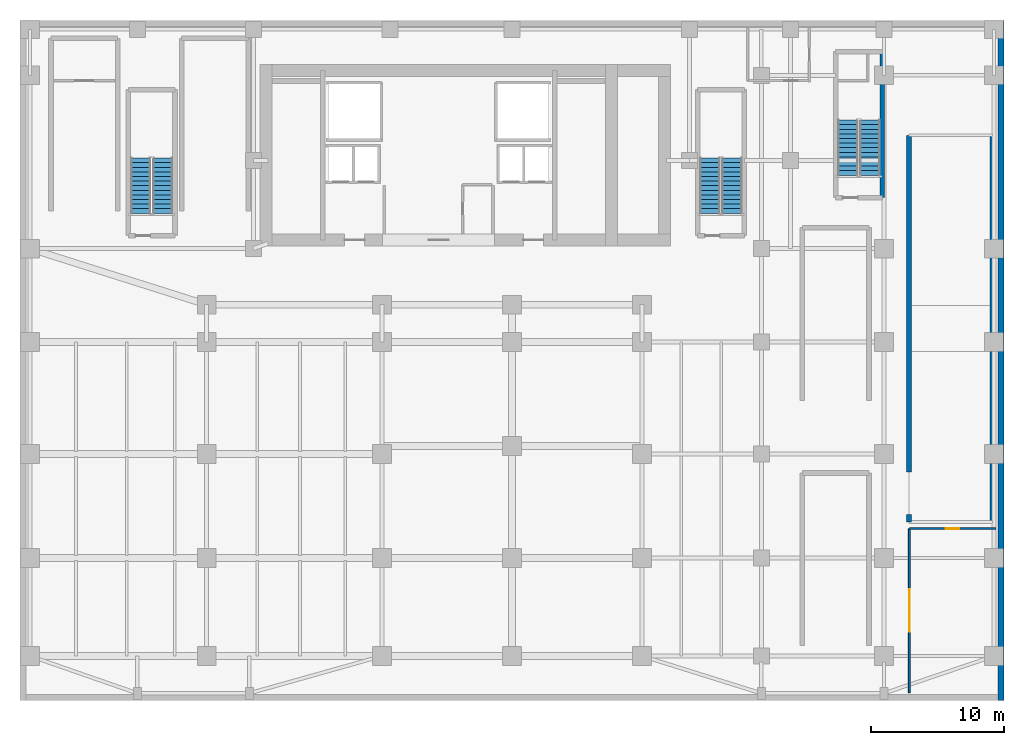
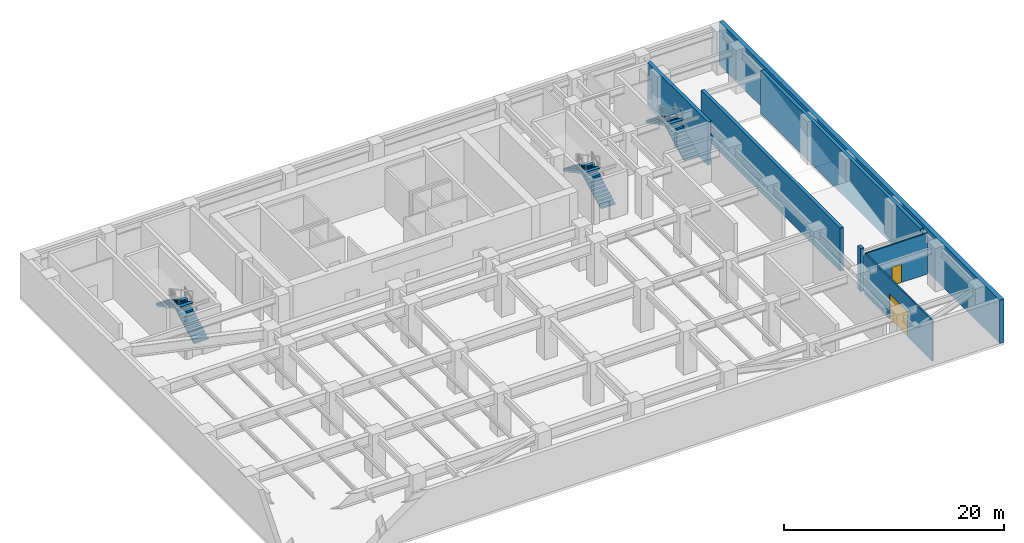
# One storey, part 6 of 8: 7 walls, 6 stair flights, 2 doors, 2 openings, 3 elements without a shape of their own.
"""IFC4 building model written with IfcOpenShell, lengths in metres."""

from ifc_helpers import new_model, si_unit, direction, frame, frame_2d, origin, place, context, subcontext, project, spatial, polyline, rectangle, outline, extrude, source, transform, mapped, material, layer, layer_set, type_object, type_shapes, element, fill, aggregate, save


model = new_model("IFC4")

# Units and contexts
model_context = context("Model", 3, precision=1e-05, world=origin(), true_north=direction((0.0, 1.0)))
body_context = subcontext(model_context, "Body", "Model", "MODEL_VIEW")
ifc_project = project(units=[si_unit("LENGTHUNIT", "METRE"), si_unit("AREAUNIT", "SQUARE_METRE"), si_unit("VOLUMEUNIT", "CUBIC_METRE"), si_unit("PLANEANGLEUNIT", "RADIAN"), si_unit("MASSUNIT", "GRAM", prefix="KILO")], contexts=[model_context])

# Site, building, storey
site_placement = place(None, origin())
site = spatial("IfcSite", under=ifc_project, at=site_placement, CompositionType="ELEMENT")
building_placement = place(site_placement, origin())
building = spatial("IfcBuilding", under=site, at=building_placement, Name="Tolvann Quenvar Hotel", CompositionType="ELEMENT")
storey_placement = place(building_placement, frame((0.0, 0.0, -9.60009765625)))
storey = spatial("IfcBuildingStorey", under=building, at=storey_placement, Name="B02", CompositionType="ELEMENT", Elevation=-9.60009765625)

# Walls
ifc_material_1 = material(Name="Concrete S65 (65 MPa)", Category="concrete")
ifc_layer_1 = layer(ifc_material_1, 0.35009765625)
ifc_layer_set_1 = layer_set([ifc_layer_1], Name="Concrete S65 (65 MPa)")
wall_type_1 = type_object("IfcWallType", Name="WALL_CORE_INT_350", PredefinedType="SHEAR", material=ifc_layer_set_1)
wall_1_placement = place(storey_placement, frame((56.27490234375, 35.22509765625, 0.0), z_axis=(0.0, 0.0, 1.0), x_axis=(0.0, 1.0, 0.0)))
element("IfcWall", 1, at=wall_1_placement, inside=storey, type_object=wall_type_1, Name="Stairwell ST-B3 Structural Shaft Wall E (B02)", PredefinedType="SHEAR", context=body_context, shape_type="SweptSolid", body=[
    extrude(rectangle(XDim=10.949951171875, YDim=0.35009765625, at=frame_2d((5.47509765625, 0.0))), origin(), (0.0, 0.0, 1.0), 4.800048828125),
])
wall_2_placement = place(storey_placement, frame((58.27490234375, 10.89990234375, 0.0), z_axis=(0.0, 0.0, 1.0), x_axis=(0.0, 1.0, 0.0)))
element("IfcWall", 2, at=wall_2_placement, inside=storey, type_object=wall_type_1, Name="Vehicle Ramp Structural Shaft Wall W1 (B02)", PredefinedType="SHEAR", context=body_context, shape_type="SweptSolid", body=[
    extrude(rectangle(XDim=0.550048828125, YDim=0.35009765625, at=frame_2d((0.27490234375, 0.0))), origin(), (0.0, 0.0, 1.0), 4.800048828125),
])
wall_3_placement = place(storey_placement, frame((58.27490234375, 14.64990234375, 0.0), z_axis=(0.0, 0.0, 1.0), x_axis=(0.0, 1.0, 0.0)))
element("IfcWall", 3, at=wall_3_placement, inside=storey, type_object=wall_type_1, Name="Vehicle Ramp Structural Shaft Wall W (B02)", PredefinedType="SHEAR", context=body_context, shape_type="SweptSolid", body=[
    extrude(rectangle(XDim=25.25, YDim=0.35009765625, at=frame_2d((12.625, 0.0))), origin(), (0.0, 0.0, 1.0), 4.800048828125),
])
wall_4_placement = place(storey_placement, frame((64.52490234375, 10.89990234375, 0.0), z_axis=(0.0, 0.0, 1.0), x_axis=(0.0, 1.0, 0.0)))
element("IfcWall", 4, at=wall_4_placement, inside=storey, type_object=wall_type_1, Name="Vehicle Ramp Structural Shaft Wall E (B02)", PredefinedType="SHEAR", context=body_context, shape_type="SweptSolid", body=[
    extrude(rectangle(XDim=29.0, YDim=0.35009765625, at=frame_2d((14.5, 0.0))), origin(), (0.0, 0.0, 1.0), 4.800048828125),
])

# Wall, opening, door
ifc_material_2 = material(Name="Acoustic twin-stud fire-rated gypsum plasterboard partition")
ifc_layer_2 = layer(ifc_material_2, 0.14990234375)
ifc_layer_set_2 = layer_set([ifc_layer_2], Name="Acoustic twin-stud fire-rated gypsum plasterboard partition")
wall_type_2 = type_object("IfcWallType", Name="WALL_PART_SUITE_150", PredefinedType="PARTITIONING", material=ifc_layer_set_2)
wall_5_placement = place(storey_placement, frame((58.300048828125, 10.39990234375, 0.0), z_axis=(0.0, 0.0, 1.0), x_axis=(1.0, 0.0, 0.0)))
wall_5 = element("IfcWall", 5, at=wall_5_placement, inside=storey, type_object=wall_type_2, Name="Interior Partition PT-SPC-B02-STR-N", PredefinedType="PARTITIONING", context=body_context, shape_type="SweptSolid", body=[
    extrude(rectangle(XDim=6.5, YDim=0.14990234375, at=frame_2d((3.25, 0.0))), origin(), (0.0, 0.0, 1.0), 4.5400390625),
])
opening_1_placement = place(wall_5_placement, frame((2.739990234375, 0.0, 0.0)))
opening_1 = element("IfcOpeningElement", 6, at=opening_1_placement, cuts=wall_5, Name="Opening HD-01", PredefinedType="OPENING", context=body_context, shape_type="SweptSolid", body=[
    extrude(rectangle(XDim=1.02001953125, YDim=2.030029296875, at=frame_2d((0.510009765625, 1.01513671875))), frame((0.0, 0.0849609375, 0.0), z_axis=(0.0, -1.0, 0.0), x_axis=(1.0, 0.0, 0.0)), (0.0, 0.0, 1.0), 0.169921875),
])
ifc_material_3 = material(Name="Pressed galvanised steel fire-rated door set", Category="steel")
door_type_1 = type_object("IfcDoorType", Name="DOOR_BOH_1020", OperationType="NOTDEFINED", PredefinedType="DOOR", material=ifc_material_3)
shared_shape_1 = source(origin(), body_context, "Body", "SweptSolid", [
    extrude(rectangle(XDim=1.02001953125, YDim=2.030029296875, at=frame_2d((0.510009765625, 1.01513671875))), frame((0.0, 0.02490234375, 0.0), z_axis=(0.0, -1.0, 0.0), x_axis=(1.0, 0.0, 0.0)), (0.0, 0.0, 1.0), 0.050048828125),
])
type_shapes(door_type_1, [shared_shape_1])
door_1_placement = place(opening_1_placement, origin())
door_1 = element("IfcDoor", 7, at=door_1_placement, inside=storey, type_object=door_type_1, Name="Interior Door DOOR-SPC-B02-STR", OperationType="SINGLE_SWING_RIGHT", OverallHeight=2.030029296875, OverallWidth=1.02001953125, PredefinedType="DOOR", context=body_context, shape_type="MappedRepresentation", body=[
    mapped(shared_shape_1, transform((0.0, 0.0, 0.0), x_axis=(1.0, 0.0, 0.0), y_axis=(0.0, 1.0, 0.0), z_axis=(0.0, 0.0, 1.0), scale=1.0)),
])
fill(opening_1, door_1)

wall_6_placement = place(storey_placement, frame((58.300048828125, -1.89990234375, 0.0), z_axis=(0.0, 0.0, 1.0), x_axis=(0.0, 1.0, 0.0)))
wall_6 = element("IfcWall", 8, at=wall_6_placement, inside=storey, type_object=wall_type_2, Name="Interior Partition PT-SPC-B02-STR-W", PredefinedType="PARTITIONING", context=body_context, shape_type="SweptSolid", body=[
    extrude(rectangle(XDim=12.2998046875, YDim=0.14990234375, at=frame_2d((6.14990234375, 0.0))), origin(), (0.0, 0.0, 1.0), 4.5400390625),
])
opening_2_placement = place(wall_6_placement, frame((4.550048828125, 0.0, 0.0)))
opening_2 = element("IfcOpeningElement", 9, at=opening_2_placement, cuts=wall_6, Name="Opening DG-01", PredefinedType="OPENING", context=body_context, shape_type="SweptSolid", body=[
    extrude(rectangle(XDim=3.199951171875, YDim=2.800048828125, at=frame_2d((1.60009765625, 1.39990234375))), frame((0.0, 0.0849609375, 0.0), z_axis=(0.0, -1.0, 0.0), x_axis=(1.0, 0.0, 0.0)), (0.0, 0.0, 1.0), 0.169921875),
])
ifc_material_4 = material(Name="Heavy-duty powder-coated galvanised steel security shutter gate", Category="steel")
door_type_2 = type_object("IfcDoorType", Name="GATE_SRV_3200x2800", OperationType="NOTDEFINED", PredefinedType="GATE", material=ifc_material_4)
shared_shape_2 = source(origin(), body_context, "Body", "SweptSolid", [
    extrude(rectangle(XDim=3.199951171875, YDim=2.800048828125, at=frame_2d((1.60009765625, 1.39990234375))), frame((0.0, 0.02490234375, 0.0), z_axis=(0.0, -1.0, 0.0), x_axis=(1.0, 0.0, 0.0)), (0.0, 0.0, 1.0), 0.050048828125),
])
type_shapes(door_type_2, [shared_shape_2])
door_2_placement = place(opening_2_placement, origin())
door_2 = element("IfcDoor", 10, at=door_2_placement, inside=storey, type_object=door_type_2, Name="Service Control Gate DG-01 (02)", OperationType="ROLLINGUP", OverallHeight=2.800048828125, OverallWidth=3.199951171875, PredefinedType="GATE", context=body_context, shape_type="MappedRepresentation", body=[
    mapped(shared_shape_2, transform((0.0, 0.0, 0.0), x_axis=(1.0, 0.0, 0.0), y_axis=(0.0, 1.0, 0.0), z_axis=(0.0, 0.0, 1.0), scale=1.0)),
])
fill(opening_2, door_2)

# Wall
ifc_material_5 = material(Name="Concrete N50 (50 MPa)", Category="concrete")
ifc_layer_3 = layer(ifc_material_5, 0.449951171875)
ifc_layer_set_3 = layer_set([ifc_layer_3], Name="Concrete N50 (50 MPa)")
wall_type_3 = type_object("IfcWallType", Name="WALL_RET_450", PredefinedType="SOLIDWALL", material=ifc_layer_set_3)
wall_7_placement = place(storey_placement, frame((65.175048828125, -2.5, 0.0), z_axis=(0.0, 0.0, 1.0), x_axis=(0.0, 1.0, 0.0)))
element("IfcWall", 11, at=wall_7_placement, inside=storey, type_object=wall_type_3, Name="Basement Perimeter Retaining Wall E (B02)", PredefinedType="SOLIDWALL", context=body_context, shape_type="SweptSolid", body=[
    extrude(rectangle(XDim=51.0, YDim=0.449951171875, at=frame_2d((25.5, 0.0))), origin(), (0.0, 0.0, 1.0), 4.800048828125),
])

# Stair, stair flights
ifc_material_6 = material(Name="Concrete N40 (40 MPa)", Category="concrete")
stair_type = type_object("IfcStairType", Name="STAIR", PredefinedType="HALF_TURN_STAIR", material=ifc_material_6)
stair_1_placement = place(storey_placement, origin())
stair_1 = element("IfcStair", 12, at=stair_1_placement, inside=storey, type_object=stair_type, Name="B02 ST-B1", PredefinedType="HALF_TURN_STAIR")
stair_flight_type = type_object("IfcStairFlightType", Name="STAIR_FLIGHT", PredefinedType="STRAIGHT", material=ifc_material_6)
stair_flight_1_placement = place(storey_placement, frame((2.300048828125, 34.050048828125, 0.0), z_axis=(0.0, 0.0, 1.0), x_axis=(0.0, 1.0, 0.0)))
stair_flight_1 = element("IfcStairFlight", 13, at=stair_flight_1_placement, type_object=stair_flight_type, Name="ST-B1 flight 1", NumberOfRisers=13, NumberOfTreads=12, PredefinedType="STRAIGHT", RiserHeight=0.184615385, TreadLength=0.345, context=body_context, shape_type="SweptSolid", body=[
    extrude(outline(polyline([(0.0, 0.0), (0.0, 0.1845703125), (0.344970703125, 0.1845703125), (0.344970703125, 0.369140625), (0.68994140625, 0.369140625), (0.68994140625, 0.553955078125), (1.034912109375, 0.553955078125), (1.034912109375, 0.738525390625), (1.3798828125, 0.738525390625), (1.3798828125, 0.923095703125), (1.72509765625, 0.923095703125), (1.72509765625, 1.107666015625), (2.070068359375, 1.107666015625), (2.070068359375, 1.292236328125), (2.4150390625, 1.292236328125), (2.4150390625, 1.476806640625), (2.760009765625, 1.476806640625), (2.760009765625, 1.66162109375), (3.10498046875, 1.66162109375), (3.10498046875, 1.84619140625), (3.449951171875, 1.84619140625), (3.449951171875, 2.03076171875), (3.794921875, 2.03076171875), (3.794921875, 2.21533203125), (4.139892578125, 2.21533203125), (4.139892578125, 2.39990234375), (4.139892578125, 2.04541015625), (0.317626953125, 0.0), (0.0, 0.0)])), frame((0.0, 0.75, 0.0), z_axis=(0.0, -1.0, 0.0), x_axis=(1.0, 0.0, 0.0)), (0.0, 0.0, 1.0), 1.5),
])
stair_flight_2_placement = place(storey_placement, frame((0.64990234375, 38.18994140625, 2.400146484375), z_axis=(0.0, 0.0, 1.0), x_axis=(0.0, -1.0, 0.0)))
stair_flight_2 = element("IfcStairFlight", 14, at=stair_flight_2_placement, type_object=stair_flight_type, Name="ST-B1 flight 2", NumberOfRisers=13, NumberOfTreads=12, PredefinedType="STRAIGHT", RiserHeight=0.184615385, TreadLength=0.345, context=body_context, shape_type="SweptSolid", body=[
    extrude(outline(polyline([(0.0, 0.0), (0.0, 0.1845703125), (0.344970703125, 0.1845703125), (0.344970703125, 0.369140625), (0.68994140625, 0.369140625), (0.68994140625, 0.553955078125), (1.034912109375, 0.553955078125), (1.034912109375, 0.738525390625), (1.3798828125, 0.738525390625), (1.3798828125, 0.923095703125), (1.72509765625, 0.923095703125), (1.72509765625, 1.107666015625), (2.070068359375, 1.107666015625), (2.070068359375, 1.292236328125), (2.4150390625, 1.292236328125), (2.4150390625, 1.476806640625), (2.760009765625, 1.476806640625), (2.760009765625, 1.66162109375), (3.10498046875, 1.66162109375), (3.10498046875, 1.84619140625), (3.449951171875, 1.84619140625), (3.449951171875, 2.03076171875), (3.794921875, 2.03076171875), (3.794921875, 2.21533203125), (4.139892578125, 2.21533203125), (4.139892578125, 2.39990234375), (4.139892578125, 2.04541015625), (0.317626953125, 0.0), (0.0, 0.0)])), frame((0.0, 0.75, 0.0), z_axis=(0.0, -1.0, 0.0), x_axis=(1.0, 0.0, 0.0)), (0.0, 0.0, 1.0), 1.5),
])
aggregate(stair_1, [stair_flight_1, stair_flight_2])

stair_2_placement = place(storey_placement, origin())
stair_2 = element("IfcStair", 15, at=stair_2_placement, inside=storey, type_object=stair_type, Name="B02 ST-B2", PredefinedType="HALF_TURN_STAIR")
stair_flight_3_placement = place(storey_placement, frame((45.0, 34.050048828125, 0.0), z_axis=(0.0, 0.0, 1.0), x_axis=(0.0, 1.0, 0.0)))
stair_flight_3 = element("IfcStairFlight", 16, at=stair_flight_3_placement, type_object=stair_flight_type, Name="ST-B2 flight 1", NumberOfRisers=13, NumberOfTreads=12, PredefinedType="STRAIGHT", RiserHeight=0.184615385, TreadLength=0.345, context=body_context, shape_type="SweptSolid", body=[
    extrude(outline(polyline([(0.0, 0.0), (0.0, 0.1845703125), (0.344970703125, 0.1845703125), (0.344970703125, 0.369140625), (0.68994140625, 0.369140625), (0.68994140625, 0.553955078125), (1.034912109375, 0.553955078125), (1.034912109375, 0.738525390625), (1.3798828125, 0.738525390625), (1.3798828125, 0.923095703125), (1.72509765625, 0.923095703125), (1.72509765625, 1.107666015625), (2.070068359375, 1.107666015625), (2.070068359375, 1.292236328125), (2.4150390625, 1.292236328125), (2.4150390625, 1.476806640625), (2.760009765625, 1.476806640625), (2.760009765625, 1.66162109375), (3.10498046875, 1.66162109375), (3.10498046875, 1.84619140625), (3.449951171875, 1.84619140625), (3.449951171875, 2.03076171875), (3.794921875, 2.03076171875), (3.794921875, 2.21533203125), (4.139892578125, 2.21533203125), (4.139892578125, 2.39990234375), (4.139892578125, 2.04541015625), (0.317626953125, 0.0), (0.0, 0.0)])), frame((0.0, 0.75, 0.0), z_axis=(0.0, -1.0, 0.0), x_axis=(1.0, 0.0, 0.0)), (0.0, 0.0, 1.0), 1.5),
])
stair_flight_4_placement = place(storey_placement, frame((43.35009765625, 38.18994140625, 2.400146484375), z_axis=(0.0, 0.0, 1.0), x_axis=(0.0, -1.0, 0.0)))
stair_flight_4 = element("IfcStairFlight", 17, at=stair_flight_4_placement, type_object=stair_flight_type, Name="ST-B2 flight 2", NumberOfRisers=13, NumberOfTreads=12, PredefinedType="STRAIGHT", RiserHeight=0.184615385, TreadLength=0.345, context=body_context, shape_type="SweptSolid", body=[
    extrude(outline(polyline([(0.0, 0.0), (0.0, 0.1845703125), (0.344970703125, 0.1845703125), (0.344970703125, 0.369140625), (0.68994140625, 0.369140625), (0.68994140625, 0.553955078125), (1.034912109375, 0.553955078125), (1.034912109375, 0.738525390625), (1.3798828125, 0.738525390625), (1.3798828125, 0.923095703125), (1.72509765625, 0.923095703125), (1.72509765625, 1.107666015625), (2.070068359375, 1.107666015625), (2.070068359375, 1.292236328125), (2.4150390625, 1.292236328125), (2.4150390625, 1.476806640625), (2.760009765625, 1.476806640625), (2.760009765625, 1.66162109375), (3.10498046875, 1.66162109375), (3.10498046875, 1.84619140625), (3.449951171875, 1.84619140625), (3.449951171875, 2.03076171875), (3.794921875, 2.03076171875), (3.794921875, 2.21533203125), (4.139892578125, 2.21533203125), (4.139892578125, 2.39990234375), (4.139892578125, 2.04541015625), (0.317626953125, 0.0), (0.0, 0.0)])), frame((0.0, 0.75, 0.0), z_axis=(0.0, -1.0, 0.0), x_axis=(1.0, 0.0, 0.0)), (0.0, 0.0, 1.0), 1.5),
])
aggregate(stair_2, [stair_flight_3, stair_flight_4])

stair_3_placement = place(storey_placement, origin())
stair_3 = element("IfcStair", 18, at=stair_3_placement, inside=storey, type_object=stair_type, Name="B02 ST-B3", PredefinedType="HALF_TURN_STAIR")
stair_flight_5_placement = place(storey_placement, frame((55.35009765625, 36.89990234375, 0.0), z_axis=(0.0, 0.0, 1.0), x_axis=(0.0, 1.0, 0.0)))
stair_flight_5 = element("IfcStairFlight", 19, at=stair_flight_5_placement, type_object=stair_flight_type, Name="ST-B3 flight 1", NumberOfRisers=13, NumberOfTreads=12, PredefinedType="STRAIGHT", RiserHeight=0.184615385, TreadLength=0.345, context=body_context, shape_type="SweptSolid", body=[
    extrude(outline(polyline([(0.0, 0.0), (0.0, 0.1845703125), (0.344970703125, 0.1845703125), (0.344970703125, 0.369140625), (0.68994140625, 0.369140625), (0.68994140625, 0.553955078125), (1.034912109375, 0.553955078125), (1.034912109375, 0.738525390625), (1.3798828125, 0.738525390625), (1.3798828125, 0.923095703125), (1.72509765625, 0.923095703125), (1.72509765625, 1.107666015625), (2.070068359375, 1.107666015625), (2.070068359375, 1.292236328125), (2.4150390625, 1.292236328125), (2.4150390625, 1.476806640625), (2.760009765625, 1.476806640625), (2.760009765625, 1.66162109375), (3.10498046875, 1.66162109375), (3.10498046875, 1.84619140625), (3.449951171875, 1.84619140625), (3.449951171875, 2.03076171875), (3.794921875, 2.03076171875), (3.794921875, 2.21533203125), (4.139892578125, 2.21533203125), (4.139892578125, 2.39990234375), (4.139892578125, 2.04541015625), (0.317626953125, 0.0), (0.0, 0.0)])), frame((0.0, 0.75, 0.0), z_axis=(0.0, -1.0, 0.0), x_axis=(1.0, 0.0, 0.0)), (0.0, 0.0, 1.0), 1.5),
])
stair_flight_6_placement = place(storey_placement, frame((53.699951171875, 41.0400390625, 2.400146484375), z_axis=(0.0, 0.0, 1.0), x_axis=(0.0, -1.0, 0.0)))
stair_flight_6 = element("IfcStairFlight", 20, at=stair_flight_6_placement, type_object=stair_flight_type, Name="ST-B3 flight 2", NumberOfRisers=13, NumberOfTreads=12, PredefinedType="STRAIGHT", RiserHeight=0.184615385, TreadLength=0.345, context=body_context, shape_type="SweptSolid", body=[
    extrude(outline(polyline([(0.0, 0.0), (0.0, 0.1845703125), (0.344970703125, 0.1845703125), (0.344970703125, 0.369140625), (0.68994140625, 0.369140625), (0.68994140625, 0.553955078125), (1.034912109375, 0.553955078125), (1.034912109375, 0.738525390625), (1.3798828125, 0.738525390625), (1.3798828125, 0.923095703125), (1.72509765625, 0.923095703125), (1.72509765625, 1.107666015625), (2.070068359375, 1.107666015625), (2.070068359375, 1.292236328125), (2.4150390625, 1.292236328125), (2.4150390625, 1.476806640625), (2.760009765625, 1.476806640625), (2.760009765625, 1.66162109375), (3.10498046875, 1.66162109375), (3.10498046875, 1.84619140625), (3.449951171875, 1.84619140625), (3.449951171875, 2.03076171875), (3.794921875, 2.03076171875), (3.794921875, 2.21533203125), (4.139892578125, 2.21533203125), (4.139892578125, 2.39990234375), (4.139892578125, 2.04541015625), (0.317626953125, 0.0), (0.0, 0.0)])), frame((0.0, 0.75, 0.0), z_axis=(0.0, -1.0, 0.0), x_axis=(1.0, 0.0, 0.0)), (0.0, 0.0, 1.0), 1.5),
])
aggregate(stair_3, [stair_flight_5, stair_flight_6])

save(model, "model.ifc")
